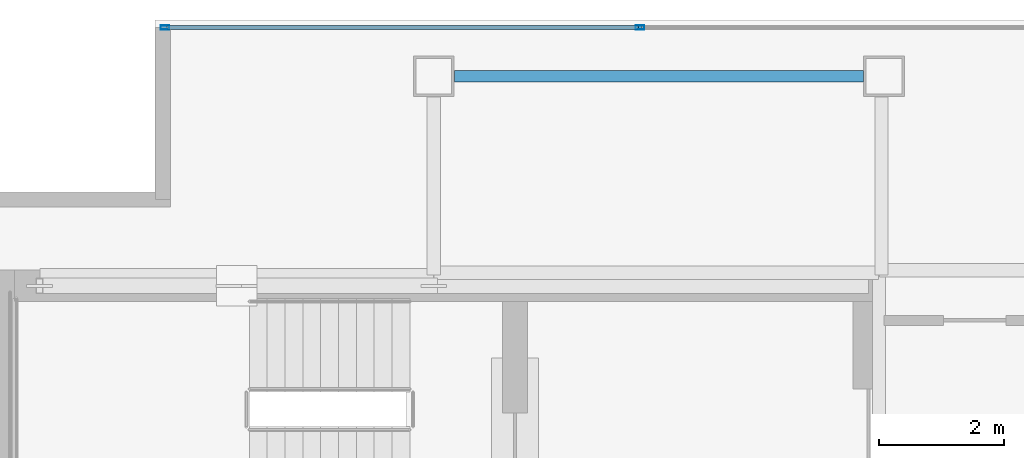
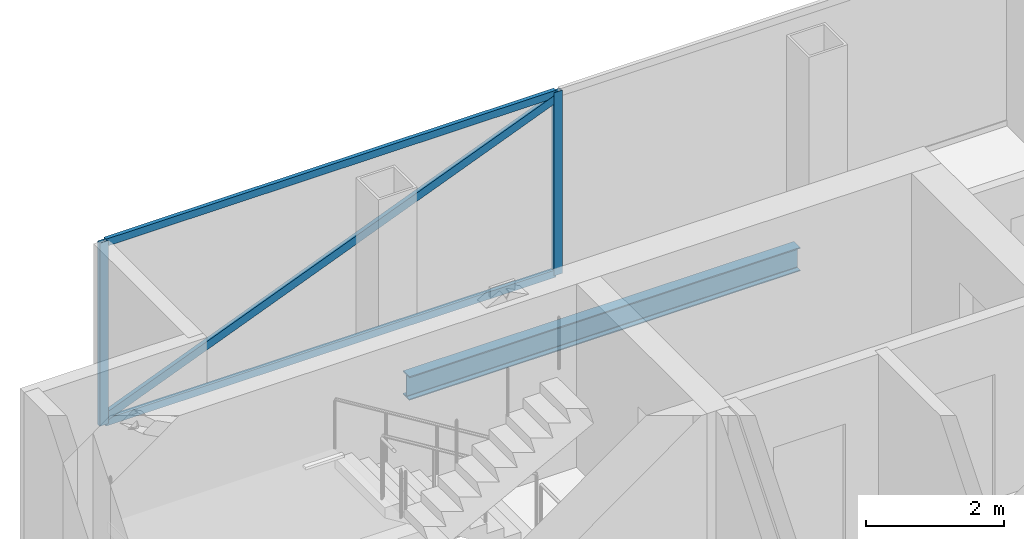
# One storey, part 18 of 24: 5 members, 1 beam, 1 element without a shape of its own.
"""IFC4 building model written with IfcOpenShell, lengths in metres."""

from ifc_helpers import new_model, si_unit, direction, frame, origin, origin_2d, place, context, subcontext, project, spatial, hollow_rectangle, i_section, extrude, material, material_profile, profile_set, type_object, element, aggregate, save


model = new_model("IFC4")

# Units and contexts
model_context = context("Model", 3, precision=1e-05, world=origin(), true_north=direction((0.0, 1.0)))
body_context = subcontext(model_context, "Body", "Model", "MODEL_VIEW")
ifc_project = project(units=[si_unit("LENGTHUNIT", "METRE"), si_unit("AREAUNIT", "SQUARE_METRE"), si_unit("VOLUMEUNIT", "CUBIC_METRE"), si_unit("PLANEANGLEUNIT", "RADIAN"), si_unit("MASSUNIT", "GRAM", prefix="KILO")], contexts=[model_context])

# Site, building, storey
site_placement = place(None, origin())
site = spatial("IfcSite", under=ifc_project, at=site_placement, CompositionType="ELEMENT")
building_placement = place(site_placement, origin())
building = spatial("IfcBuilding", under=site, at=building_placement, Name="Cobrela Telecom Tower", CompositionType="ELEMENT")
storey_placement = place(building_placement, frame((0.0, 0.0, 248.14990234375)))
storey = spatial("IfcBuildingStorey", under=building, at=storey_placement, Name="L64", CompositionType="ELEMENT", Elevation=248.14990234375)

# Beam
ifc_material_1 = material(Name="Steel ASTM A992 Grade 50", Category="steel")
ifc_material_profile_1 = material_profile(ifc_material_1, i_section(OverallWidth=0.179931640625, OverallDepth=0.4169921875, WebThickness=0.010986328125, FlangeThickness=0.01806640625, FilletRadius=0.011962890625, at=origin_2d()), Name="W16X57")
ifc_profile_set_1 = profile_set([ifc_material_profile_1], Name="Steel ASTM A992 Grade 50")
beam_type = type_object("IfcBeamType", Name="BM-SPAND-06", PredefinedType="SPANDREL", material=ifc_profile_set_1)
beam_placement = place(storey_placement, frame((7.530029296875, 39.10009765625, -0.468505859375), z_axis=(1.0, 0.0, 0.0), x_axis=(0.0, 1.0, 0.0)))
element("IfcBeam", 1, at=beam_placement, inside=storey, type_object=beam_type, Name="L64 Perimeter Spandrel X19", PredefinedType="SPANDREL", context=body_context, shape_type="SweptSolid", body=[
    extrude(i_section(OverallWidth=0.179931640625, OverallDepth=0.4169921875, WebThickness=0.010986328125, FlangeThickness=0.01806640625, FilletRadius=0.011962890625, at=origin_2d()), origin(), (0.0, 0.0, 1.0), 6.5400390625),
])

# Curtain wall, members
ifc_material_2 = material(Name="Anodized Bronze Aluminium 6063-T6", Category="aluminium")
curtain_wall_type = type_object("IfcCurtainWallType", Name="CW-SYS-OFF-HI", PredefinedType="USERDEFINED", material=ifc_material_2)
curtain_wall_placement = place(storey_placement, origin())
curtain_wall = element("IfcCurtainWall", 2, at=curtain_wall_placement, inside=storey, type_object=curtain_wall_type, Name="L64 Unitised Bronze Curtain Wall 05", ObjectType="UNITISED CURTAIN WALL", PredefinedType="USERDEFINED")
ifc_material_profile_2 = material_profile(ifc_material_2, hollow_rectangle(XDim=0.070068359375, YDim=0.139892578125, WallThickness=0.00390625, at=origin_2d()), Name="ALU 70x140x4")
ifc_profile_set_2 = profile_set([ifc_material_profile_2], Name="Anodized Bronze Aluminium 6063-T6")
member_type_1 = type_object("IfcMemberType", Name="CW-SYS-OFF-HI-MUL", PredefinedType="MULLION", material=ifc_profile_set_2)
member_1_placement = place(storey_placement, frame((2.905029296875, 39.8798828125, 0.0), z_axis=(0.0, 0.0, 1.0), x_axis=(0.0, 1.0, 0.0)))
member_1 = element("IfcMember", 3, at=member_1_placement, type_object=member_type_1, Name="CW-OFF-HI mullion 1", PredefinedType="MULLION", context=body_context, shape_type="SweptSolid", body=[
    extrude(hollow_rectangle(XDim=0.070068359375, YDim=0.139892578125, WallThickness=0.00390625, at=origin_2d()), origin(), (0.0, 0.0, 1.0), 3.239990234375),
])
member_2_placement = place(storey_placement, frame((10.5, 39.8798828125, 0.0), z_axis=(0.0, 0.0, 1.0), x_axis=(0.0, 1.0, 0.0)))
member_2 = element("IfcMember", 4, at=member_2_placement, type_object=member_type_1, Name="CW-OFF-HI mullion 2", PredefinedType="MULLION", context=body_context, shape_type="SweptSolid", body=[
    extrude(hollow_rectangle(XDim=0.070068359375, YDim=0.139892578125, WallThickness=0.00390625, at=origin_2d()), origin(), (0.0, 0.0, 1.0), 3.239990234375),
])
member_3_placement = place(storey_placement, frame((2.8701171875, 39.8798828125, 0.10009765625), z_axis=(0.928976054336, 0.0, 0.370139825566), x_axis=(0.0, 1.0, 0.0)))
member_3 = element("IfcMember", 5, at=member_3_placement, type_object=member_type_1, Name="L64 Faceted Curtain Wall Diagonal Glazing Mullion", PredefinedType="MULLION", context=body_context, shape_type="SweptSolid", body=[
    extrude(hollow_rectangle(XDim=0.070068359375, YDim=0.139892578125, WallThickness=0.00390625, at=origin_2d()), origin(), (0.0, 0.0, 1.0), 8.213134765625),
])
ifc_material_profile_3 = material_profile(ifc_material_2, hollow_rectangle(XDim=0.06494140625, YDim=0.1298828125, WallThickness=0.00390625, at=origin_2d()), Name="ALU 65x130x4")
ifc_profile_set_3 = profile_set([ifc_material_profile_3], Name="Anodized Bronze Aluminium 6063-T6")
member_type_2 = type_object("IfcMemberType", Name="CW-SYS-OFF-HI-TRN", PredefinedType="USERDEFINED", material=ifc_profile_set_3)
member_4_placement = place(storey_placement, frame((2.93994140625, 39.8798828125, 0.03271484375), z_axis=(1.0, 0.0, 0.0), x_axis=(0.0, 1.0, 0.0)))
member_4 = element("IfcMember", 6, at=member_4_placement, type_object=member_type_2, Name="CW-OFF-HI transom 1.1", ObjectType="TRANSOM", PredefinedType="USERDEFINED", context=body_context, shape_type="SweptSolid", body=[
    extrude(hollow_rectangle(XDim=0.06494140625, YDim=0.1298828125, WallThickness=0.00390625, at=origin_2d()), origin(), (0.0, 0.0, 1.0), 7.525146484375),
])
member_5_placement = place(storey_placement, frame((2.93994140625, 39.8798828125, 3.20751953125), z_axis=(1.0, 0.0, 0.0), x_axis=(0.0, 1.0, 0.0)))
member_5 = element("IfcMember", 7, at=member_5_placement, type_object=member_type_2, Name="CW-OFF-HI transom 1.2", ObjectType="TRANSOM", PredefinedType="USERDEFINED", context=body_context, shape_type="SweptSolid", body=[
    extrude(hollow_rectangle(XDim=0.06494140625, YDim=0.1298828125, WallThickness=0.00390625, at=origin_2d()), origin(), (0.0, 0.0, 1.0), 7.525146484375),
])
aggregate(curtain_wall, [member_1, member_2, member_4, member_5, member_3])

save(model, "model.ifc")
